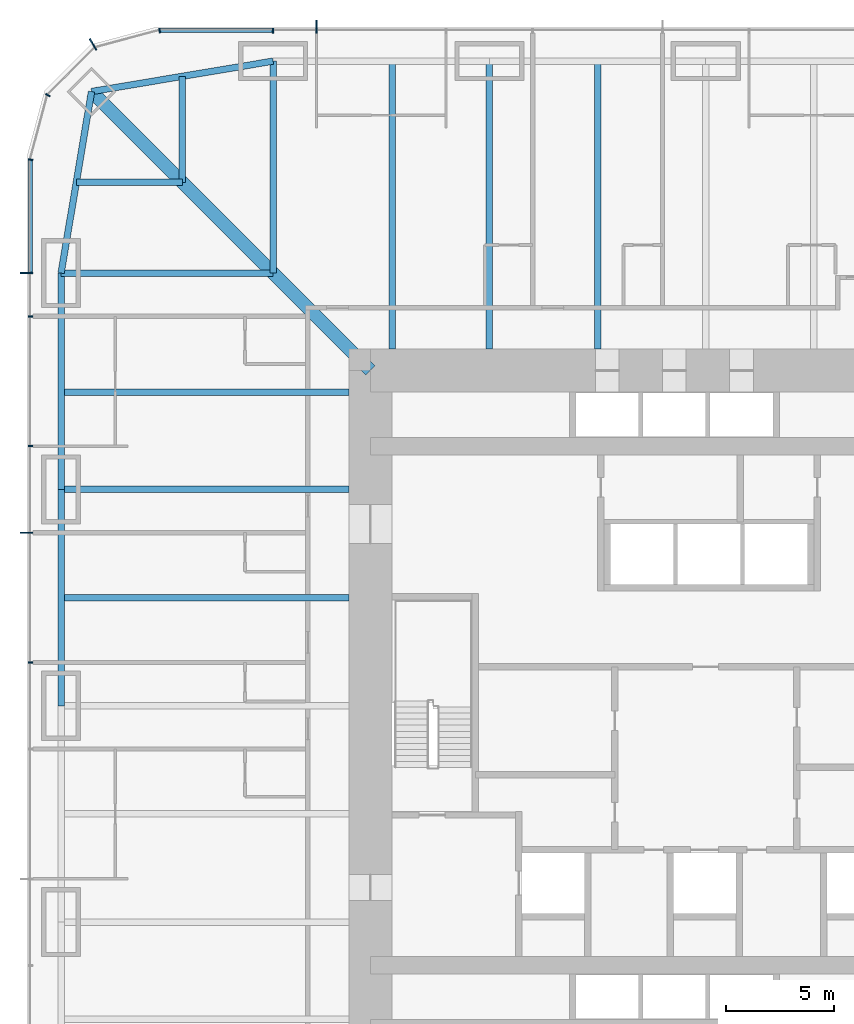
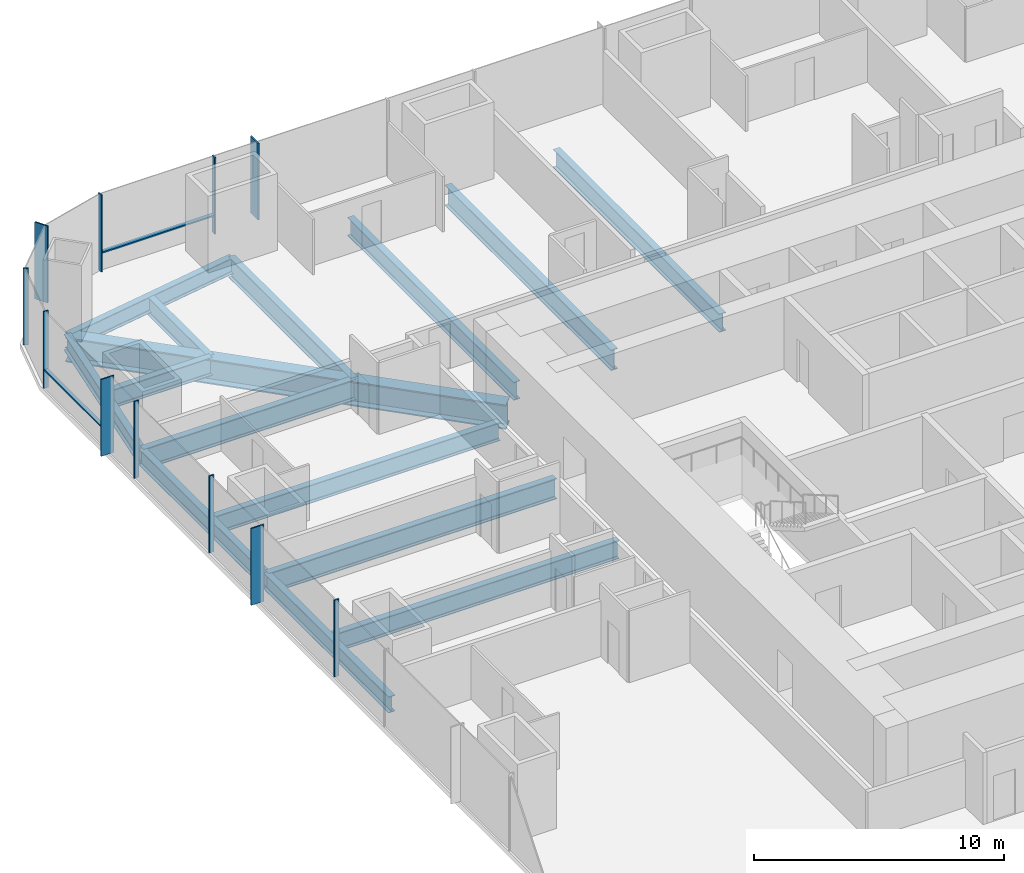
# One storey, part 6 of 16: 15 beams, 13 members, 3 elements without a shape of their own.
"""IFC4 building model written with IfcOpenShell, lengths in metres."""

from ifc_helpers import new_model, si_unit, direction, frame, origin, origin_2d, place, context, subcontext, project, spatial, rectangle, i_section, extrude, material, material_profile, profile_set, type_object, element, aggregate, save


model = new_model("IFC4")

# Units and contexts
model_context = context("Model", 3, precision=1e-05, world=origin(), true_north=direction((0.0, 1.0)))
body_context = subcontext(model_context, "Body", "Model", "MODEL_VIEW")
ifc_project = project(units=[si_unit("LENGTHUNIT", "METRE"), si_unit("AREAUNIT", "SQUARE_METRE"), si_unit("VOLUMEUNIT", "CUBIC_METRE"), si_unit("PLANEANGLEUNIT", "RADIAN"), si_unit("MASSUNIT", "GRAM", prefix="KILO")], contexts=[model_context])

# Site, building, storey
site_placement = place(None, origin())
site = spatial("IfcSite", under=ifc_project, at=site_placement, CompositionType="ELEMENT")
building_placement = place(site_placement, origin())
building = spatial("IfcBuilding", under=site, at=building_placement, Name="Khuree Lantern Residences", CompositionType="ELEMENT")
storey_placement = place(building_placement, frame((0.0, 0.0, 66.0)))
storey = spatial("IfcBuildingStorey", under=building, at=storey_placement, Name="L16", CompositionType="ELEMENT", Elevation=66.0)

# Beams
ifc_material_1 = material(Name="Steel S355", Category="steel")
ifc_material_profile_1 = material_profile(ifc_material_1, i_section(OverallWidth=0.300048828125, OverallDepth=0.889892578125, WebThickness=0.01611328125, FlangeThickness=0.030029296875, FilletRadius=0.030029296875, at=origin_2d()), Name="HE 900 A")
ifc_profile_set_1 = profile_set([ifc_material_profile_1], Name="Steel S355")
beam_type_1 = type_object("IfcBeamType", Name="B-14 SECONDARY BEAM HE 900 A", PredefinedType="BEAM", material=ifc_profile_set_1)
for number, where, z_axis, x_axis, name in (
    (1, (-14.5, 29.800048828125, -0.695068359375), (0.0, -1.0, 0.0), (1.0, 0.0, 0.0), "Secondary beam N1"),
    (2, (-5.0, 29.800048828125, -0.695068359375), (0.0, -1.0, 0.0), (1.0, 0.0, 0.0), "Secondary beam N2"),
    (3, (-29.800048828125, 5.0, -0.695068359375), (1.0, 0.0, 0.0), (0.0, 1.0, 0.0), "Secondary beam W4"),
    (4, (-29.800048828125, 14.5, -0.695068359375), (1.0, 0.0, 0.0), (0.0, 1.0, 0.0), "Secondary beam W5"),
):
    element("IfcBeam", number, at=place(storey_placement, frame(where, z_axis=z_axis, x_axis=x_axis)), inside=storey, type_object=beam_type_1, Name=name, PredefinedType="BEAM", context=body_context, shape_type="SweptSolid", body=[
        extrude(i_section(OverallWidth=0.300048828125, OverallDepth=0.889892578125, WebThickness=0.01611328125, FlangeThickness=0.030029296875, FilletRadius=0.030029296875, at=origin_2d()), origin(), (0.0, 0.0, 1.0), 13.300048828125),
    ])
for number, where, z_axis, x_axis, name in (
    (5, (-29.09716796875, 24.197021484375, -0.695068359375), (1.0, 0.0, 0.0), (0.0, 1.0, 0.0), "Secondary beam W6"),
    (6, (-24.197021484375, 29.09716796875, -0.695068359375), (0.0, -1.0, 0.0), (1.0, 0.0, 0.0), "Secondary beam N6"),
):
    element("IfcBeam", number, at=place(storey_placement, frame(where, z_axis=z_axis, x_axis=x_axis)), inside=storey, type_object=beam_type_1, Name=name, PredefinedType="BEAM", context=body_context, shape_type="SweptSolid", body=[
        extrude(i_section(OverallWidth=0.300048828125, OverallDepth=0.889892578125, WebThickness=0.01611328125, FlangeThickness=0.030029296875, FilletRadius=0.030029296875, at=origin_2d()), origin(), (0.0, 0.0, 1.0), 4.900146484375),
    ])
ifc_material_profile_2 = material_profile(ifc_material_1, i_section(OverallWidth=0.300048828125, OverallDepth=0.7900390625, WebThickness=0.014892578125, FlangeThickness=0.028076171875, FilletRadius=0.030029296875, at=origin_2d()), Name="HE 800 A")
ifc_profile_set_2 = profile_set([ifc_material_profile_2], Name="Steel S355")
beam_type_2 = type_object("IfcBeamType", Name="E-14 SPANDREL BEAM HE 800 A", PredefinedType="SPANDREL", material=ifc_profile_set_2)
for number, where, z_axis, x_axis, name in (
    (7, (-29.800048828125, 0.0, -0.64501953125), (0.0, 1.0, 0.0), (-1.0, 0.0, 0.0), "Spandrel beam W4"),
    (8, (-29.800048828125, 10.0, -0.64501953125), (0.0, 1.0, 0.0), (-1.0, 0.0, 0.0), "Spandrel beam W5"),
):
    element("IfcBeam", number, at=place(storey_placement, frame(where, z_axis=z_axis, x_axis=x_axis)), inside=storey, type_object=beam_type_2, Name=name, PredefinedType="SPANDREL", context=body_context, shape_type="SweptSolid", body=[
        extrude(i_section(OverallWidth=0.300048828125, OverallDepth=0.7900390625, WebThickness=0.014892578125, FlangeThickness=0.028076171875, FilletRadius=0.030029296875, at=origin_2d()), origin(), (0.0, 0.0, 1.0), 10.0),
    ])
for number, where, z_axis, x_axis, name in (
    (9, (-29.800048828125, 20.0, -0.64501953125), (0.165199022349, 0.986260251158, 0.0), (-0.986260251158, 0.165199022349, 0.0), "Spandrel beam W6"),
    (10, (-28.39404296875, 28.39404296875, -0.64501953125), (0.986260251158, 0.165199022349, 0.0), (-0.165199022349, 0.986260251158, 0.0), "Spandrel beam N6"),
):
    element("IfcBeam", number, at=place(storey_placement, frame(where, z_axis=z_axis, x_axis=x_axis)), inside=storey, type_object=beam_type_2, Name=name, PredefinedType="SPANDREL", context=body_context, shape_type="SweptSolid", body=[
        extrude(i_section(OverallWidth=0.300048828125, OverallDepth=0.7900390625, WebThickness=0.014892578125, FlangeThickness=0.028076171875, FilletRadius=0.030029296875, at=origin_2d()), origin(), (0.0, 0.0, 1.0), 8.510986328125),
    ])

# Curtain wall, member
ifc_material_2 = material(Name="Bronze anodised aluminium", Category="aluminium")
curtain_wall_type_1 = type_object("IfcCurtainWallType", Name="CW-T1 TOWER FACE CURTAIN WALL", PredefinedType="USERDEFINED", material=ifc_material_2)
curtain_wall_1_placement = place(storey_placement, origin())
curtain_wall_1 = element("IfcCurtainWall", 11, at=curtain_wall_1_placement, inside=storey, type_object=curtain_wall_type_1, Name="L16 NORTH FACE CURTAIN WALL", ObjectType="Stick-built curtain wall", PredefinedType="USERDEFINED")
ifc_material_profile_3 = material_profile(ifc_material_2, rectangle(XDim=0.06494140625, YDim=0.60009765625, at=origin_2d()), Name="F1 65X600")
ifc_profile_set_3 = profile_set([ifc_material_profile_3], Name="Bronze anodised aluminium")
member_type_1 = type_object("IfcMemberType", Name="F1 BRONZE FIN MULLION TOWER 65X600", PredefinedType="MULLION", material=ifc_profile_set_3)
member_1_placement = place(storey_placement, frame((-18.0, 31.39990234375, 0.0), z_axis=(0.0, 0.0, 1.0), x_axis=(-1.0, 0.0, 0.0)))
member_1 = element("IfcMember", 12, at=member_1_placement, type_object=member_type_1, Name="L16 NORTH FACE FIN MULLION 27", PredefinedType="MULLION", context=body_context, shape_type="SweptSolid", body=[
    extrude(rectangle(XDim=0.06494140625, YDim=0.60009765625, at=origin_2d()), origin(), (0.0, 0.0, 1.0), 3.75),
])

curtain_wall_type_2 = type_object("IfcCurtainWallType", Name="CW-T2 TOWER CORNER CURTAIN WALL", PredefinedType="USERDEFINED", material=ifc_material_2)
curtain_wall_2_placement = place(storey_placement, origin())
curtain_wall_2 = element("IfcCurtainWall", 13, at=curtain_wall_2_placement, inside=storey, type_object=curtain_wall_type_2, Name="L16 NORTH-WEST CORNER CURTAIN WALL", ObjectType="Faceted corner curtain wall", PredefinedType="USERDEFINED")
member_2_placement = place(storey_placement, frame((-28.324951171875, 30.576171875, 0.0), z_axis=(0.0, 0.0, 1.0), x_axis=(-0.86602537092, -0.500000056923, 0.0)))
member_2 = element("IfcMember", 14, at=member_2_placement, type_object=member_type_1, Name="L16 NORTH-WEST CORNER FIN MULLION 30", PredefinedType="MULLION", context=body_context, shape_type="SweptSolid", body=[
    extrude(rectangle(XDim=0.06494140625, YDim=0.60009765625, at=origin_2d()), origin(), (0.0, 0.0, 1.0), 3.75),
])

# Curtain wall, members
curtain_wall_3_placement = place(storey_placement, origin())
curtain_wall_3 = element("IfcCurtainWall", 15, at=curtain_wall_3_placement, inside=storey, type_object=curtain_wall_type_1, Name="L16 WEST FACE CURTAIN WALL", ObjectType="Stick-built curtain wall", PredefinedType="USERDEFINED")
member_3_placement = place(storey_placement, frame((-31.39990234375, 20.0, 0.0), z_axis=(0.0, 0.0, 1.0), x_axis=(0.0, -1.0, 0.0)))
member_3 = element("IfcMember", 16, at=member_3_placement, type_object=member_type_1, Name="L16 WEST FACE FIN MULLION 33", PredefinedType="MULLION", context=body_context, shape_type="SweptSolid", body=[
    extrude(rectangle(XDim=0.06494140625, YDim=0.60009765625, at=origin_2d()), origin(), (0.0, 0.0, 1.0), 3.75),
])
member_4_placement = place(storey_placement, frame((-31.39990234375, 8.0, 0.0), z_axis=(0.0, 0.0, 1.0), x_axis=(0.0, -1.0, 0.0)))
member_4 = element("IfcMember", 17, at=member_4_placement, type_object=member_type_1, Name="L16 WEST FACE FIN MULLION 36", PredefinedType="MULLION", context=body_context, shape_type="SweptSolid", body=[
    extrude(rectangle(XDim=0.06494140625, YDim=0.60009765625, at=origin_2d()), origin(), (0.0, 0.0, 1.0), 3.75),
])

# Beams
ifc_material_profile_4 = material_profile(ifc_material_1, i_section(OverallWidth=0.302001953125, OverallDepth=1.008056640625, WebThickness=0.02099609375, FlangeThickness=0.0400390625, FilletRadius=0.030029296875, at=origin_2d()), Name="HE 1000 M")
ifc_profile_set_4 = profile_set([ifc_material_profile_4], Name="Steel S355")
beam_type_3 = type_object("IfcBeamType", Name="G-14 GIRDER HE 1000 M", PredefinedType="BEAM", material=ifc_profile_set_4)
beam_1_placement = place(storey_placement, frame((-20.0, 29.800048828125, -0.75390625), z_axis=(0.0, -1.0, 0.0), x_axis=(1.0, 0.0, 0.0)))
element("IfcBeam", 18, at=beam_1_placement, inside=storey, type_object=beam_type_3, Name="Girder N1", PredefinedType="BEAM", context=body_context, shape_type="SweptSolid", body=[
    extrude(i_section(OverallWidth=0.302001953125, OverallDepth=1.008056640625, WebThickness=0.02099609375, FlangeThickness=0.0400390625, FilletRadius=0.030029296875, at=origin_2d()), origin(), (0.0, 0.0, 1.0), 9.800048828125),
])
for number, where, z_axis, x_axis, name in (
    (19, (-10.0, 29.800048828125, -0.75390625), (0.0, -1.0, 0.0), (1.0, 0.0, 0.0), "Girder N2"),
    (20, (-29.800048828125, 10.0, -0.75390625), (1.0, 0.0, 0.0), (0.0, 1.0, 0.0), "Girder W4"),
):
    element("IfcBeam", number, at=place(storey_placement, frame(where, z_axis=z_axis, x_axis=x_axis)), inside=storey, type_object=beam_type_3, Name=name, PredefinedType="BEAM", context=body_context, shape_type="SweptSolid", body=[
        extrude(i_section(OverallWidth=0.302001953125, OverallDepth=1.008056640625, WebThickness=0.02099609375, FlangeThickness=0.0400390625, FilletRadius=0.030029296875, at=origin_2d()), origin(), (0.0, 0.0, 1.0), 13.300048828125),
    ])
beam_2_placement = place(storey_placement, frame((-29.800048828125, 20.0, -0.75390625), z_axis=(1.0, 0.0, 0.0), x_axis=(0.0, 1.0, 0.0)))
element("IfcBeam", 21, at=beam_2_placement, inside=storey, type_object=beam_type_3, Name="Girder W5", PredefinedType="BEAM", context=body_context, shape_type="SweptSolid", body=[
    extrude(i_section(OverallWidth=0.302001953125, OverallDepth=1.008056640625, WebThickness=0.02099609375, FlangeThickness=0.0400390625, FilletRadius=0.030029296875, at=origin_2d()), origin(), (0.0, 0.0, 1.0), 9.800048828125),
])
ifc_material_profile_5 = material_profile(ifc_material_1, i_section(OverallWidth=0.60009765625, OverallDepth=1.199951171875, WebThickness=0.030029296875, FlangeThickness=0.06005859375, at=origin_2d()), Name="WELDED I 1200X600X30X60")
ifc_profile_set_5 = profile_set([ifc_material_profile_5], Name="Steel S355")
beam_type_4 = type_object("IfcBeamType", Name="GD-14 CORNER GIRDER WELDED I 1200X600X30X60", PredefinedType="BEAM", material=ifc_profile_set_5)
beam_3_placement = place(storey_placement, frame((-28.39404296875, 28.39404296875, -0.85009765625), z_axis=(0.707106781187, -0.707106781187, 0.0), x_axis=(0.707106781187, 0.707106781187, 0.0)))
element("IfcBeam", 22, at=beam_3_placement, inside=storey, type_object=beam_type_4, Name="Corner girder NW", PredefinedType="BEAM", context=body_context, shape_type="SweptSolid", body=[
    extrude(i_section(OverallWidth=0.60009765625, OverallDepth=1.199951171875, WebThickness=0.030029296875, FlangeThickness=0.06005859375, at=origin_2d()), origin(), (0.0, 0.0, 1.0), 18.23486328125),
])

# Member
ifc_material_profile_6 = material_profile(ifc_material_2, rectangle(XDim=0.06494140625, YDim=0.219970703125, at=origin_2d()), Name="M1 65X220")
ifc_profile_set_6 = profile_set([ifc_material_profile_6], Name="Bronze anodised aluminium")
member_type_2 = type_object("IfcMemberType", Name="M1 BRONZE MULLION TOWER 65X220", PredefinedType="MULLION", material=ifc_profile_set_6)
member_5_placement = place(storey_placement, frame((-20.0, 31.2099609375, 0.0), z_axis=(0.0, 0.0, 1.0), x_axis=(-1.0, 0.0, 0.0)))
member_5 = element("IfcMember", 23, at=member_5_placement, type_object=member_type_2, Name="L16 NORTH FACE MULLION 28", PredefinedType="MULLION", context=body_context, shape_type="SweptSolid", body=[
    extrude(rectangle(XDim=0.06494140625, YDim=0.219970703125, at=origin_2d()), origin(), (0.0, 0.0, 1.0), 3.75),
])

member_6_placement = place(storey_placement, frame((-25.244873046875, 31.211669921875, 0.0), z_axis=(0.0, 0.0, 1.0), x_axis=(-0.991444852794, -0.130526257387, 0.0)))
member_6 = element("IfcMember", 24, at=member_6_placement, type_object=member_type_2, Name="L16 NORTH-WEST CORNER MULLION 29", PredefinedType="MULLION", context=body_context, shape_type="SweptSolid", body=[
    extrude(rectangle(XDim=0.06494140625, YDim=0.219970703125, at=origin_2d()), origin(), (0.0, 0.0, 1.0), 3.75),
])

member_7_placement = place(storey_placement, frame((-30.41162109375, 28.22998046875, 0.0), z_axis=(0.0, 0.0, 1.0), x_axis=(-0.500000056923, -0.86602537092, 0.0)))
member_7 = element("IfcMember", 25, at=member_7_placement, type_object=member_type_2, Name="L16 NORTH-WEST CORNER MULLION 31", PredefinedType="MULLION", context=body_context, shape_type="SweptSolid", body=[
    extrude(rectangle(XDim=0.06494140625, YDim=0.219970703125, at=origin_2d()), origin(), (0.0, 0.0, 1.0), 3.75),
])

aggregate(curtain_wall_2, [member_6, member_2, member_7])

member_8_placement = place(storey_placement, frame((-31.211669921875, 25.244873046875, 0.0), z_axis=(0.0, 0.0, 1.0), x_axis=(-0.130526257387, -0.991444852794, 0.0)))
member_8 = element("IfcMember", 26, at=member_8_placement, type_object=member_type_2, Name="L16 WEST FACE MULLION 32", PredefinedType="MULLION", context=body_context, shape_type="SweptSolid", body=[
    extrude(rectangle(XDim=0.06494140625, YDim=0.219970703125, at=origin_2d()), origin(), (0.0, 0.0, 1.0), 3.75),
])

member_9_placement = place(storey_placement, frame((-31.2099609375, 18.0, 0.0), z_axis=(0.0, 0.0, 1.0), x_axis=(0.0, -1.0, 0.0)))
member_9 = element("IfcMember", 27, at=member_9_placement, type_object=member_type_2, Name="L16 WEST FACE MULLION 34", PredefinedType="MULLION", context=body_context, shape_type="SweptSolid", body=[
    extrude(rectangle(XDim=0.06494140625, YDim=0.219970703125, at=origin_2d()), origin(), (0.0, 0.0, 1.0), 3.75),
])

member_10_placement = place(storey_placement, frame((-31.2099609375, 12.0, 0.0), z_axis=(0.0, 0.0, 1.0), x_axis=(0.0, -1.0, 0.0)))
member_10 = element("IfcMember", 28, at=member_10_placement, type_object=member_type_2, Name="L16 WEST FACE MULLION 35", PredefinedType="MULLION", context=body_context, shape_type="SweptSolid", body=[
    extrude(rectangle(XDim=0.06494140625, YDim=0.219970703125, at=origin_2d()), origin(), (0.0, 0.0, 1.0), 3.75),
])

member_11_placement = place(storey_placement, frame((-31.2099609375, 2.0, 0.0), z_axis=(0.0, 0.0, 1.0), x_axis=(0.0, -1.0, 0.0)))
member_11 = element("IfcMember", 29, at=member_11_placement, type_object=member_type_2, Name="L16 WEST FACE MULLION 37", PredefinedType="MULLION", context=body_context, shape_type="SweptSolid", body=[
    extrude(rectangle(XDim=0.06494140625, YDim=0.219970703125, at=origin_2d()), origin(), (0.0, 0.0, 1.0), 3.75),
])

ifc_material_profile_7 = material_profile(ifc_material_2, rectangle(XDim=0.179931640625, YDim=0.06494140625, at=origin_2d()), Name="T1 180X65")
ifc_profile_set_7 = profile_set([ifc_material_profile_7], Name="Bronze anodised aluminium")
member_type_3 = type_object("IfcMemberType", Name="TRANSOM T1 TOWER 180X65", PredefinedType="USERDEFINED", material=ifc_profile_set_7)
member_12_placement = place(storey_placement, frame((-20.032470703125, 31.219970703125, 0.89990234375), z_axis=(-1.0, 0.0, 0.0), x_axis=(0.0, -1.0, 0.0)))
member_12 = element("IfcMember", 30, at=member_12_placement, type_object=member_type_3, Name="L16 NORTH FACE TRANSOM 28.1", ObjectType="Transom", PredefinedType="USERDEFINED", context=body_context, shape_type="SweptSolid", body=[
    extrude(rectangle(XDim=0.179931640625, YDim=0.06494140625, at=origin_2d()), origin(), (0.0, 0.0, 1.0), 5.1689453125),
])

aggregate(curtain_wall_1, [member_1, member_5, member_12])

member_13_placement = place(storey_placement, frame((-31.219970703125, 25.201416015625, 0.89990234375), z_axis=(0.0, -1.0, 0.0), x_axis=(1.0, 0.0, 0.0)))
member_13 = element("IfcMember", 31, at=member_13_placement, type_object=member_type_3, Name="L16 WEST FACE TRANSOM 32.1", ObjectType="Transom", PredefinedType="USERDEFINED", context=body_context, shape_type="SweptSolid", body=[
    extrude(rectangle(XDim=0.179931640625, YDim=0.06494140625, at=origin_2d()), origin(), (0.0, 0.0, 1.0), 5.1689453125),
])

aggregate(curtain_wall_3, [member_8, member_3, member_9, member_10, member_4, member_11, member_13])

save(model, "model.ifc")
